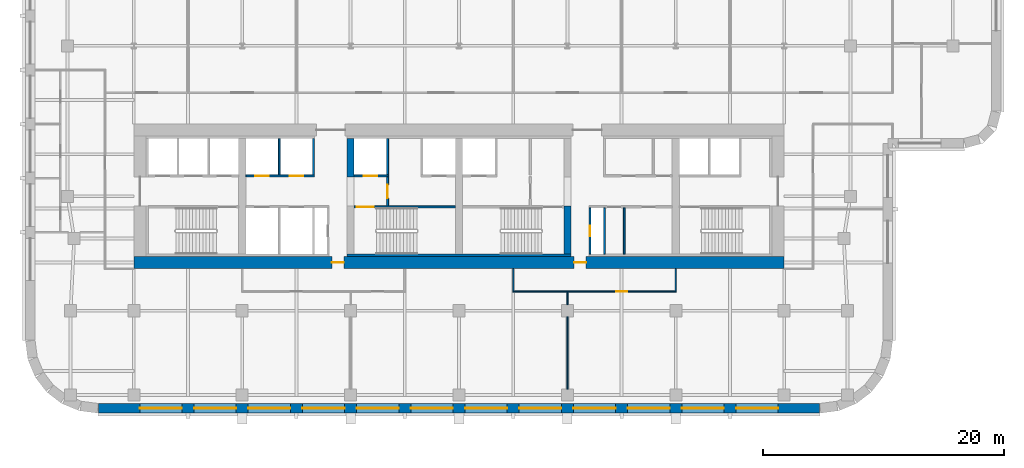
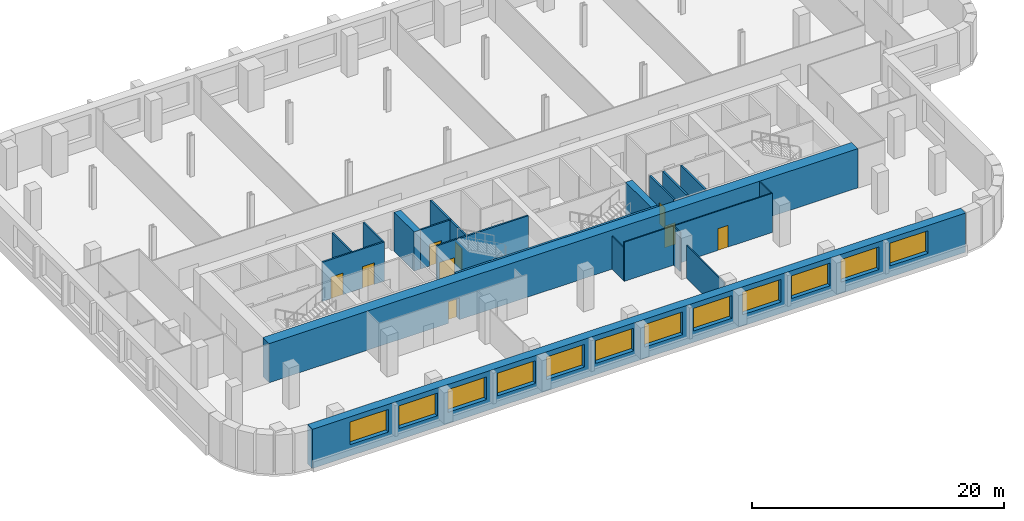
# One storey, part 4 of 9: 20 walls, 12 windows, 9 doors, 21 openings.
"""IFC4 building model written with IfcOpenShell, lengths in metres."""

import ifcopenshell
import ifcopenshell.guid

model = None  # the IFC model being written
_history = None  # IfcOwnerHistory: only IFC2X3 demands one
_inside = {}  # id of a spatial element -> (the spatial element, [elements in it])
_under = {}  # id of a project, library or spatial element -> (it, [spatial elements below it])
_declared = {}  # id of a project -> (the project, [libraries it declares])
_typed = {}  # id of a type object -> (the type object, [elements of that type])
_made_of = {}  # id of a material, layer set ... -> (it, [elements and type objects made of it])


def new_model(schema):
    """Start an empty IFC model of exactly this schema.

    Asked for "IFC4X3", IfcOpenShell would pick the latest addendum, in which some entities
    have other attributes; the version numbers below select the first issue.
    IFC2X3 requires an IfcOwnerHistory on every rooted entity: one is made here for all.
    """
    global model, _history
    if schema == "IFC4X3":
        model = ifcopenshell.file(schema_version=(4, 3, 0, 0))
    else:
        model = ifcopenshell.file(schema=schema)
    _inside.clear()
    _under.clear()
    _declared.clear()
    _typed.clear()
    _made_of.clear()
    _history = None
    if model.schema == "IFC2X3":
        org = make("IfcOrganization", Name="unknown")
        user = make(
            "IfcPersonAndOrganization",
            ThePerson=make("IfcPerson", FamilyName="unknown"),
            TheOrganization=org,
        )
        app = make(
            "IfcApplication",
            ApplicationDeveloper=org,
            Version="unknown",
            ApplicationFullName="unknown",
            ApplicationIdentifier="unknown",
        )
        _history = make(
            "IfcOwnerHistory",
            OwningUser=user,
            OwningApplication=app,
            ChangeAction="ADDED",
            CreationDate=0,
        )
    return model


def make(cls, **values):
    """One entity of the class cls with the attributes given. An attribute that is None is left unset."""
    return model.create_entity(
        cls, **{name: value for name, value in values.items() if value is not None}
    )


def rooted(cls, **values):
    """An entity with a GlobalId (a new one), such as an element, a storey or a relation."""
    return make(cls, GlobalId=ifcopenshell.guid.new(), OwnerHistory=_history, **values)


def si_unit(unit_type, name, prefix=None):
    """IfcSIUnit, for example si_unit("LENGTHUNIT", "METRE", prefix="MILLI")."""
    return make("IfcSIUnit", UnitType=unit_type, Prefix=prefix, Name=name)


def assignment(units):
    """IfcUnitAssignment: the units of a project."""
    return None if units is None else make("IfcUnitAssignment", Units=units)


def point(xyz):
    """IfcCartesianPoint."""
    return None if xyz is None else make("IfcCartesianPoint", Coordinates=xyz)


def direction(xyz):
    """IfcDirection."""
    return None if xyz is None else make("IfcDirection", DirectionRatios=xyz)


def frame(location, z_axis=None, x_axis=None):
    """IfcAxis2Placement3D, a coordinate frame: its origin and axes. An axis left out is left unset."""
    return make(
        "IfcAxis2Placement3D",
        Location=point(location),
        Axis=direction(z_axis),
        RefDirection=direction(x_axis),
    )


def frame_2d(location, x_axis=None):
    """IfcAxis2Placement2D, a coordinate frame in the plane: its origin and x axis."""
    return make(
        "IfcAxis2Placement2D", Location=point(location), RefDirection=direction(x_axis)
    )


def origin():
    """The frame at (0, 0, 0) with its axes left unset."""
    return frame((0.0, 0.0, 0.0))


def place(relative_to, where):
    """IfcLocalPlacement: puts the frame where relative to a parent placement (None: the world)."""
    return make(
        "IfcLocalPlacement", PlacementRelTo=relative_to, RelativePlacement=where
    )


def context(
    kind, dimensions, precision=None, world=None, true_north=None, identifier=None
):
    """IfcGeometricRepresentationContext, for example the 3D "Model" context."""
    return make(
        "IfcGeometricRepresentationContext",
        ContextIdentifier=identifier,
        ContextType=kind,
        CoordinateSpaceDimension=dimensions,
        Precision=precision,
        WorldCoordinateSystem=world,
        TrueNorth=true_north,
    )


def subcontext(parent, identifier, kind, view, scale=None):
    """IfcGeometricRepresentationSubContext, for example "Body" below "Model"."""
    return make(
        "IfcGeometricRepresentationSubContext",
        ContextIdentifier=identifier,
        ContextType=kind,
        ParentContext=parent,
        TargetScale=scale,
        TargetView=view,
    )


def project(units=None, contexts=None):
    """IfcProject with its units and contexts."""
    return rooted(
        "IfcProject",
        Name="project",
        RepresentationContexts=contexts,
        UnitsInContext=assignment(units),
    )


def spatial(cls, under=None, at=None, **own):
    """A site, building, storey or space (cls), placed at a placement, below another one or the project."""
    s = rooted(cls, ObjectPlacement=at, **own)
    if under is not None:
        _under.setdefault(under.id(), (under, []))[1].append(s)
    return s


def profile(cls, at=None, kind="AREA", **sizes):
    """A parametric profile (cls). Its sizes go by their IFC names, for example OverallWidth=200.0."""
    return make(cls, ProfileType=kind, Position=at, **sizes)


def rectangle(**sizes):
    """IfcRectangleProfileDef."""
    return profile("IfcRectangleProfileDef", **sizes)


def extrude(swept, where, along, depth):
    """IfcExtrudedAreaSolid: the profile swept, set in the frame where, extruded along a direction by depth."""
    return make(
        "IfcExtrudedAreaSolid",
        SweptArea=swept,
        Position=where,
        ExtrudedDirection=direction(along),
        Depth=depth,
    )


def shape(context_of_items, identifier, shape_type, items):
    """IfcShapeRepresentation: the items that make up one representation, for example the "Body"."""
    return make(
        "IfcShapeRepresentation",
        ContextOfItems=context_of_items,
        RepresentationIdentifier=identifier,
        RepresentationType=shape_type,
        Items=items,
    )


def material(Name=None, Category=None):
    """IfcMaterial."""
    return make("IfcMaterial", Name=Name, Category=Category)


def layer(
    of_material, thickness, ventilated=None, Name=None, Category=None, Priority=None
):
    """IfcMaterialLayer: one layer of a wall or slab, of a material (None: an air gap)."""
    return make(
        "IfcMaterialLayer",
        Material=of_material,
        LayerThickness=thickness,
        IsVentilated=ventilated,
        Name=Name,
        Category=Category,
        Priority=Priority,
    )


def layer_set(layers, Name=None):
    """IfcMaterialLayerSet."""
    return make("IfcMaterialLayerSet", MaterialLayers=layers, LayerSetName=Name)


def made_of(thing, what):
    """Note that an element or type object is made of a material, layer set ...; save() writes the relation."""
    if what is not None:
        _made_of.setdefault(what.id(), (what, []))[1].append(thing)
    return thing


def type_object(cls, material=None, **own):
    """A type object (cls), such as IfcWallType, which elements share."""
    return made_of(rooted(cls, **own), material)


def element(
    cls,
    number,
    at=None,
    inside=None,
    cuts=None,
    type_object=None,
    material=None,
    context=None,
    identifier="Body",
    shape_type=None,
    held_by="IfcProductDefinitionShape",
    body=None,
    shapes=None,
    **own,
):
    """One element of the class cls, such as IfcWall. Its Tag is "e" and its number.

    at: its placement. inside: the storey or other place that contains it. cuts: it is an
    opening in that element (IfcRelVoidsElement). A single representation is given by context,
    identifier, shape_type and body (its items); several are given by shapes. held_by: the class
    of the entity that holds the representations. save() writes the other relations.
    """
    e = rooted(cls, Tag="e%d" % number, ObjectPlacement=at, **own)
    if body is not None:
        shapes = [shape(context, identifier, shape_type, body)]
    if shapes is not None:
        e.Representation = make(held_by, Representations=shapes)
    if inside is not None:
        _inside.setdefault(inside.id(), (inside, []))[1].append(e)
    if cuts is not None:
        rooted(
            "IfcRelVoidsElement", RelatingBuildingElement=cuts, RelatedOpeningElement=e
        )
    if type_object is not None:
        _typed.setdefault(type_object.id(), (type_object, []))[1].append(e)
    return made_of(e, material)


def fill(opening, filler):
    """IfcRelFillsElement: the door or window that sits in an opening."""
    return rooted(
        "IfcRelFillsElement",
        RelatingOpeningElement=opening,
        RelatedBuildingElement=filler,
    )


def aggregate(whole, parts):
    """IfcRelAggregates: a whole, such as a stair, and the parts it consists of."""
    return rooted("IfcRelAggregates", RelatingObject=whole, RelatedObjects=parts)


def save(model, path):
    """Write the relations noted so far, then the file.

    IfcRelAggregates (storeys below a building ...), IfcRelContainedInSpatialStructure (elements
    in a storey), IfcRelDefinesByType, IfcRelAssociatesMaterial and IfcRelDeclares: one each for
    every whole, place, type object, material and project.
    """
    for whole, parts in _under.values():
        aggregate(whole, parts)
    for where, things in _inside.values():
        rooted(
            "IfcRelContainedInSpatialStructure",
            RelatedElements=things,
            RelatingStructure=where,
        )
    for kind, things in _typed.values():
        rooted("IfcRelDefinesByType", RelatedObjects=things, RelatingType=kind)
    for what, things in _made_of.values():
        rooted("IfcRelAssociatesMaterial", RelatedObjects=things, RelatingMaterial=what)
    for by, libraries in _declared.values():
        rooted("IfcRelDeclares", RelatingContext=by, RelatedDefinitions=libraries)
    model.write(path)


model = new_model("IFC4")

# Units and contexts
model_context = context("Model", 3, precision=1e-05, world=origin(), true_north=direction((0.0, 1.0)))
body_context = subcontext(model_context, "Body", "Model", "MODEL_VIEW")
ifc_project = project(units=[si_unit("LENGTHUNIT", "METRE"), si_unit("AREAUNIT", "SQUARE_METRE"), si_unit("VOLUMEUNIT", "CUBIC_METRE"), si_unit("PLANEANGLEUNIT", "RADIAN"), si_unit("MASSUNIT", "GRAM", prefix="KILO")], contexts=[model_context])

# Site, building, storey
site_placement = place(None, origin())
site = spatial("IfcSite", under=ifc_project, at=site_placement, CompositionType="ELEMENT")
building_placement = place(site_placement, origin())
building = spatial("IfcBuilding", under=site, at=building_placement, Name="Zellij Exchange Tower", CompositionType="ELEMENT")
storey_placement = place(building_placement, frame((0.0, 0.0, 140.5)))
storey = spatial("IfcBuildingStorey", under=building, at=storey_placement, Name="L31", CompositionType="ELEMENT", Elevation=140.5)

# Walls
ifc_material_1 = material(Name="Concrete C70/85", Category="concrete")
ifc_layer_1 = layer(ifc_material_1, 0.60009765625)
ifc_layer_set_1 = layer_set([ifc_layer_1], Name="Concrete C70/85")
wall_type_1 = type_object("IfcWallType", Name="CORE-CW 600 C70/85", PredefinedType="SHEAR", material=ifc_layer_set_1)
wall_1_placement = place(storey_placement, frame((-9.0, -6.375, 0.0), z_axis=(0.0, 0.0, 1.0), x_axis=(0.0, 1.0, 0.0)))
element("IfcWall", 1, at=wall_1_placement, inside=storey, type_object=wall_type_1, Name="Core cross wall pier x -9 b L31", PredefinedType="SHEAR", context=body_context, shape_type="SweptSolid", body=[
    extrude(rectangle(XDim=3.175048828125, YDim=0.60009765625, at=frame_2d((1.58740234375, 0.0))), origin(), (0.0, 0.0, 1.0), 3.800048828125),
])
wall_2_placement = place(storey_placement, frame((9.0, -12.800048828125, 0.0), z_axis=(0.0, 0.0, 1.0), x_axis=(0.0, 1.0, 0.0)))
element("IfcWall", 2, at=wall_2_placement, inside=storey, type_object=wall_type_1, Name="Core cross wall pier x 9 a L31", PredefinedType="SHEAR", context=body_context, shape_type="SweptSolid", body=[
    extrude(rectangle(XDim=4.0, YDim=0.60009765625, at=frame_2d((2.0, 0.0))), origin(), (0.0, 0.0, 1.0), 3.800048828125),
])
ifc_material_2 = material(Name="Concrete C30/37", Category="concrete")
ifc_layer_2 = layer(ifc_material_2, 0.199951171875)
ifc_layer_set_2 = layer_set([ifc_layer_2], Name="Concrete C30/37")
wall_type_2 = type_object("IfcWallType", Name="CORE-LW 200 C30/37", PredefinedType="SHEAR", material=ifc_layer_set_2)
wall_3_placement = place(storey_placement, frame((-9.300048828125, -12.89990234375, 0.0), z_axis=(0.0, 0.0, 1.0), x_axis=(1.0, 0.0, 0.0)))
element("IfcWall", 3, at=wall_3_placement, inside=storey, type_object=wall_type_2, Name="Core wall lining rear.1 L31", PredefinedType="SHEAR", context=body_context, shape_type="SweptSolid", body=[
    extrude(rectangle(XDim=18.60009765625, YDim=0.199951171875, at=frame_2d((9.300048828125, 0.0))), origin(), (0.0, 0.0, 1.0), 3.800048828125),
])

# Wall, opening, door
ifc_material_3 = material(Name="Gypsum shaft wall system")
ifc_layer_3 = layer(ifc_material_3, 0.14990234375)
ifc_layer_set_3 = layer_set([ifc_layer_3], Name="Gypsum shaft wall system")
wall_type_3 = type_object("IfcWallType", Name="CORE-PW 150 Firefighting lobby wall", PredefinedType="PARTITIONING", material=ifc_layer_set_3)
wall_4_placement = place(storey_placement, frame((-5.925048828125, -8.800048828125, 0.0), z_axis=(0.0, 0.0, 1.0), x_axis=(0.0, 1.0, 0.0)))
wall_4 = element("IfcWall", 4, at=wall_4_placement, inside=storey, type_object=wall_type_3, Name="Firefighting lobby wall L31", PredefinedType="PARTITIONING", context=body_context, shape_type="SweptSolid", body=[
    extrude(rectangle(XDim=2.425048828125, YDim=0.14990234375, at=frame_2d((1.21240234375, 0.0))), origin(), (0.0, 0.0, 1.0), 3.800048828125),
])
opening_1_placement = place(wall_4_placement, frame((0.662109375, 0.0, 0.0)))
opening_1 = element("IfcOpeningElement", 5, at=opening_1_placement, cuts=wall_4, Name="Opening CA-16.15", PredefinedType="OPENING", context=body_context, shape_type="SweptSolid", body=[
    extrude(rectangle(XDim=1.10009765625, YDim=2.10009765625, at=frame_2d((0.550048828125, 1.050048828125))), frame((0.0, 0.0869140625, 0.0), z_axis=(0.0, -1.0, 0.0), x_axis=(1.0, 0.0, 0.0)), (0.0, 0.0, 1.0), 0.173828125),
])
ifc_material_4 = material(Name="Hollow metal fire door")
door_type_1 = type_object("IfcDoorType", Name="CORE-D F Firefighting lobby door 1100x2100 1 HR", OperationType="NOTDEFINED", PredefinedType="DOOR", material=ifc_material_4)
door_1_placement = place(opening_1_placement, origin())
door_1 = element("IfcDoor", 6, at=door_1_placement, inside=storey, type_object=door_type_1, Name="Firefighting lobby door CA-16.15", OperationType="SINGLE_SWING_LEFT", OverallHeight=2.10009765625, OverallWidth=1.10009765625, PredefinedType="DOOR", context=body_context, shape_type="SweptSolid", body=[
    extrude(rectangle(XDim=1.10009765625, YDim=2.10009765625, at=frame_2d((0.550048828125, 1.050048828125))), frame((0.0, 0.02490234375, 0.0), z_axis=(0.0, -1.0, 0.0), x_axis=(1.0, 0.0, 0.0)), (0.0, 0.0, 1.0), 0.050048828125),
])
fill(opening_1, door_1)

ifc_material_5 = material(Name="Gypsum board partition")
ifc_layer_4 = layer(ifc_material_5, 0.14990234375)
ifc_layer_set_4 = layer_set([ifc_layer_4], Name="Gypsum board partition")
wall_type_4 = type_object("IfcWallType", Name="CORE-PW 150 Lift lobby wall", PredefinedType="PARTITIONING", material=ifc_layer_set_4)
wall_5_placement = place(storey_placement, frame((10.875, -12.800048828125, 0.0), z_axis=(0.0, 0.0, 1.0), x_axis=(0.0, 1.0, 0.0)))
wall_5 = element("IfcWall", 7, at=wall_5_placement, inside=storey, type_object=wall_type_4, Name="Lift lobby wall L31", PredefinedType="PARTITIONING", context=body_context, shape_type="SweptSolid", body=[
    extrude(rectangle(XDim=3.85009765625, YDim=0.14990234375, at=frame_2d((1.925048828125, 0.0))), origin(), (0.0, 0.0, 1.0), 3.800048828125),
])
opening_2_placement = place(wall_5_placement, frame((1.47509765625, 0.0, 0.0)))
opening_2 = element("IfcOpeningElement", 8, at=opening_2_placement, cuts=wall_5, Name="Opening CA-16.22", PredefinedType="OPENING", context=body_context, shape_type="SweptSolid", body=[
    extrude(rectangle(XDim=0.89990234375, YDim=2.10009765625, at=frame_2d((0.449951171875, 1.050048828125))), frame((0.0, 0.0869140625, 0.0), z_axis=(0.0, -1.0, 0.0), x_axis=(1.0, 0.0, 0.0)), (0.0, 0.0, 1.0), 0.173828125),
])
door_type_2 = type_object("IfcDoorType", Name="CORE-D RD Riser door 900x2100 1.5 HR", OperationType="NOTDEFINED", PredefinedType="DOOR", material=ifc_material_4)
door_2_placement = place(opening_2_placement, origin())
door_2 = element("IfcDoor", 9, at=door_2_placement, inside=storey, type_object=door_type_2, Name="Riser door CA-16.22", OperationType="SINGLE_SWING_LEFT", OverallHeight=2.10009765625, OverallWidth=0.89990234375, PredefinedType="DOOR", context=body_context, shape_type="SweptSolid", body=[
    extrude(rectangle(XDim=0.89990234375, YDim=2.10009765625, at=frame_2d((0.449951171875, 1.050048828125))), frame((0.0, 0.02490234375, 0.0), z_axis=(0.0, -1.0, 0.0), x_axis=(1.0, 0.0, 0.0)), (0.0, 0.0, 1.0), 0.050048828125),
])
fill(opening_2, door_2)

# Walls
for number, where, z_axis, x_axis, name in (
    (10, (12.074951171875, -12.800048828125, 0.0), (0.0, 0.0, 1.0), (0.0, 1.0, 0.0), "Lift lobby wall L31"),
    (11, (13.72509765625, -12.800048828125, 0.0), (0.0, 0.0, 1.0), (0.0, 1.0, 0.0), "Lift lobby wall L31"),
):
    element("IfcWall", number, at=place(storey_placement, frame(where, z_axis=z_axis, x_axis=x_axis)), inside=storey, type_object=wall_type_4, Name=name, PredefinedType="PARTITIONING", context=body_context, shape_type="SweptSolid", body=[
        extrude(rectangle(XDim=3.85009765625, YDim=0.14990234375, at=frame_2d((1.925048828125, 0.0))), origin(), (0.0, 0.0, 1.0), 3.800048828125),
    ])
ifc_layer_5 = layer(ifc_material_3, 0.14990234375)
ifc_layer_set_5 = layer_set([ifc_layer_5], Name="Gypsum shaft wall system")
wall_type_5 = type_object("IfcWallType", Name="CORE-PW 150 Lift shaft wall", PredefinedType="PARTITIONING", material=ifc_layer_set_5)
for number, where, z_axis, x_axis, name in (
    (12, (-12.074951171875, -6.22509765625, 0.0), (0.0, 0.0, 1.0), (0.0, 1.0, 0.0), "Lift shaft wall L31"),
    (13, (-14.925048828125, -6.22509765625, 0.0), (0.0, 0.0, 1.0), (0.0, 1.0, 0.0), "Lift shaft wall L31"),
    (14, (-5.925048828125, -6.22509765625, 0.0), (0.0, 0.0, 1.0), (0.0, 1.0, 0.0), "Lift shaft wall L31"),
):
    element("IfcWall", number, at=place(storey_placement, frame(where, z_axis=z_axis, x_axis=x_axis)), inside=storey, type_object=wall_type_5, Name=name, PredefinedType="PARTITIONING", context=body_context, shape_type="SweptSolid", body=[
        extrude(rectangle(XDim=3.025146484375, YDim=0.14990234375, at=frame_2d((1.5126953125, 0.0))), origin(), (0.0, 0.0, 1.0), 3.800048828125),
    ])

# Wall, openings, doors
wall_6_placement = place(storey_placement, frame((-17.699951171875, -6.300048828125, 0.0), z_axis=(0.0, 0.0, 1.0), x_axis=(1.0, 0.0, 0.0)))
wall_6 = element("IfcWall", 15, at=wall_6_placement, inside=storey, type_object=wall_type_5, Name="Lift shaft wall L31", PredefinedType="PARTITIONING", context=body_context, shape_type="SweptSolid", body=[
    extrude(rectangle(XDim=5.699951171875, YDim=0.14990234375, at=frame_2d((2.85009765625, 0.0))), origin(), (0.0, 0.0, 1.0), 3.800048828125),
])
opening_3_placement = place(wall_6_placement, frame((0.800048828125, 0.0, 0.0)))
opening_3 = element("IfcOpeningElement", 16, at=opening_3_placement, cuts=wall_6, Name="Opening CA-16.07", PredefinedType="OPENING", context=body_context, shape_type="SweptSolid", body=[
    extrude(rectangle(XDim=1.10009765625, YDim=2.10009765625, at=frame_2d((0.550048828125, 1.050048828125))), frame((0.0, 0.0869140625, 0.0), z_axis=(0.0, -1.0, 0.0), x_axis=(1.0, 0.0, 0.0)), (0.0, 0.0, 1.0), 0.173828125),
])
opening_4_placement = place(wall_6_placement, frame((3.64990234375, 0.0, 0.0)))
opening_4 = element("IfcOpeningElement", 17, at=opening_4_placement, cuts=wall_6, Name="Opening CA-16.09", PredefinedType="OPENING", context=body_context, shape_type="SweptSolid", body=[
    extrude(rectangle(XDim=1.10009765625, YDim=2.10009765625, at=frame_2d((0.550048828125, 1.050048828125))), frame((0.0, 0.0869140625, 0.0), z_axis=(0.0, -1.0, 0.0), x_axis=(1.0, 0.0, 0.0)), (0.0, 0.0, 1.0), 0.173828125),
])
door_type_3 = type_object("IfcDoorType", Name="CORE-D LD Lift landing door 1100x2100 1.5 HR", OperationType="NOTDEFINED", PredefinedType="DOOR", material=ifc_material_4)
door_3_placement = place(opening_3_placement, origin())
door_3 = element("IfcDoor", 18, at=door_3_placement, inside=storey, type_object=door_type_3, Name="Lift landing door CA-16.07", OperationType="SLIDING_TO_LEFT", OverallHeight=2.10009765625, OverallWidth=1.10009765625, PredefinedType="DOOR", context=body_context, shape_type="SweptSolid", body=[
    extrude(rectangle(XDim=1.10009765625, YDim=2.10009765625, at=frame_2d((0.550048828125, 1.050048828125))), frame((0.0, 0.02490234375, 0.0), z_axis=(0.0, -1.0, 0.0), x_axis=(1.0, 0.0, 0.0)), (0.0, 0.0, 1.0), 0.050048828125),
])
fill(opening_3, door_3)
door_4_placement = place(opening_4_placement, origin())
door_4 = element("IfcDoor", 19, at=door_4_placement, inside=storey, type_object=door_type_3, Name="Lift landing door CA-16.09", OperationType="SLIDING_TO_LEFT", OverallHeight=2.10009765625, OverallWidth=1.10009765625, PredefinedType="DOOR", context=body_context, shape_type="SweptSolid", body=[
    extrude(rectangle(XDim=1.10009765625, YDim=2.10009765625, at=frame_2d((0.550048828125, 1.050048828125))), frame((0.0, 0.02490234375, 0.0), z_axis=(0.0, -1.0, 0.0), x_axis=(1.0, 0.0, 0.0)), (0.0, 0.0, 1.0), 0.050048828125),
])
fill(opening_4, door_4)

# Wall, opening, door
wall_7_placement = place(storey_placement, frame((-8.699951171875, -6.300048828125, 0.0), z_axis=(0.0, 0.0, 1.0), x_axis=(1.0, 0.0, 0.0)))
wall_7 = element("IfcWall", 20, at=wall_7_placement, inside=storey, type_object=wall_type_5, Name="Lift shaft wall L31", PredefinedType="PARTITIONING", context=body_context, shape_type="SweptSolid", body=[
    extrude(rectangle(XDim=2.849853515625, YDim=0.14990234375, at=frame_2d((1.4248046875, 0.0))), origin(), (0.0, 0.0, 1.0), 3.800048828125),
])
opening_5_placement = place(wall_7_placement, frame((0.800048828125, 0.0, 0.0)))
opening_5 = element("IfcOpeningElement", 21, at=opening_5_placement, cuts=wall_7, Name="Opening CA-16.14", PredefinedType="OPENING", context=body_context, shape_type="SweptSolid", body=[
    extrude(rectangle(XDim=1.10009765625, YDim=2.10009765625, at=frame_2d((0.550048828125, 1.050048828125))), frame((0.0, 0.0869140625, 0.0), z_axis=(0.0, -1.0, 0.0), x_axis=(1.0, 0.0, 0.0)), (0.0, 0.0, 1.0), 0.173828125),
])
door_5_placement = place(opening_5_placement, origin())
door_5 = element("IfcDoor", 22, at=door_5_placement, inside=storey, type_object=door_type_3, Name="Lift landing door CA-16.14", OperationType="SLIDING_TO_RIGHT", OverallHeight=2.10009765625, OverallWidth=1.10009765625, PredefinedType="DOOR", context=body_context, shape_type="SweptSolid", body=[
    extrude(rectangle(XDim=1.10009765625, YDim=2.10009765625, at=frame_2d((0.550048828125, 1.050048828125))), frame((0.0, 0.02490234375, 0.0), z_axis=(0.0, -1.0, 0.0), x_axis=(1.0, 0.0, 0.0)), (0.0, 0.0, 1.0), 0.050048828125),
])
fill(opening_5, door_5)

# Wall, openings, doors
ifc_layer_6 = layer(ifc_material_1, 1.0)
ifc_layer_set_6 = layer_set([ifc_layer_6], Name="Concrete C70/85")
wall_type_6 = type_object("IfcWallType", Name="CORE-SW 1000 C70/85", PredefinedType="SHEAR", material=ifc_layer_set_6)
wall_8_placement = place(storey_placement, frame((-27.0, -13.5, 0.0), z_axis=(0.0, 0.0, 1.0), x_axis=(1.0, 0.0, 0.0)))
wall_8 = element("IfcWall", 23, at=wall_8_placement, inside=storey, type_object=wall_type_6, Name="Core shear wall rear L31", PredefinedType="SHEAR", context=body_context, shape_type="SweptSolid", body=[
    extrude(rectangle(XDim=54.0, YDim=1.0, at=frame_2d((27.0, 0.0))), origin(), (0.0, 0.0, 1.0), 3.800048828125),
])
opening_6_placement = place(wall_8_placement, frame((16.449951171875, 0.0, 0.0)))
opening_6 = element("IfcOpeningElement", 24, at=opening_6_placement, cuts=wall_8, Name="Opening CA-16.12", PredefinedType="OPENING", context=body_context, shape_type="SweptSolid", body=[
    extrude(rectangle(XDim=1.0, YDim=2.10009765625, at=frame_2d((0.5, 1.050048828125))), frame((0.0, 0.511962890625, 0.0), z_axis=(0.0, -1.0, 0.0), x_axis=(1.0, 0.0, 0.0)), (0.0, 0.0, 1.0), 1.02392578125),
])
opening_7_placement = place(wall_8_placement, frame((36.550048828125, 0.0, 0.0)))
opening_7 = element("IfcOpeningElement", 25, at=opening_7_placement, cuts=wall_8, Name="Opening CA-16.20", PredefinedType="OPENING", context=body_context, shape_type="SweptSolid", body=[
    extrude(rectangle(XDim=1.0, YDim=2.10009765625, at=frame_2d((0.5, 1.050048828125))), frame((0.0, 0.511962890625, 0.0), z_axis=(0.0, -1.0, 0.0), x_axis=(1.0, 0.0, 0.0)), (0.0, 0.0, 1.0), 1.02392578125),
])
door_type_4 = type_object("IfcDoorType", Name="CORE-D CR Core rear door 1000x2100 20 MIN", OperationType="NOTDEFINED", PredefinedType="DOOR", material=ifc_material_4)
door_6_placement = place(opening_6_placement, origin())
door_6 = element("IfcDoor", 26, at=door_6_placement, inside=storey, type_object=door_type_4, Name="Core rear door CA-16.12", OperationType="SINGLE_SWING_RIGHT", OverallHeight=2.10009765625, OverallWidth=1.0, PredefinedType="DOOR", context=body_context, shape_type="SweptSolid", body=[
    extrude(rectangle(XDim=1.0, YDim=2.10009765625, at=frame_2d((0.5, 1.050048828125))), frame((0.0, 0.02490234375, 0.0), z_axis=(0.0, -1.0, 0.0), x_axis=(1.0, 0.0, 0.0)), (0.0, 0.0, 1.0), 0.050048828125),
])
fill(opening_6, door_6)
door_7_placement = place(opening_7_placement, origin())
door_7 = element("IfcDoor", 27, at=door_7_placement, inside=storey, type_object=door_type_4, Name="Core rear door CA-16.20", OperationType="SINGLE_SWING_LEFT", OverallHeight=2.10009765625, OverallWidth=1.0, PredefinedType="DOOR", context=body_context, shape_type="SweptSolid", body=[
    extrude(rectangle(XDim=1.0, YDim=2.10009765625, at=frame_2d((0.5, 1.050048828125))), frame((0.0, 0.02490234375, 0.0), z_axis=(0.0, -1.0, 0.0), x_axis=(1.0, 0.0, 0.0)), (0.0, 0.0, 1.0), 0.050048828125),
])
fill(opening_7, door_7)

# Wall, opening, door
ifc_layer_7 = layer(ifc_material_1, 0.14990234375)
ifc_layer_set_7 = layer_set([ifc_layer_7], Name="Concrete C70/85")
wall_type_7 = type_object("IfcWallType", Name="CORE-SWS 150 C70/85", PredefinedType="SHEAR", material=ifc_layer_set_7)
wall_9_placement = place(storey_placement, frame((-8.699951171875, -8.875, 0.0), z_axis=(0.0, 0.0, 1.0), x_axis=(1.0, 0.0, 0.0)))
wall_9 = element("IfcWall", 28, at=wall_9_placement, inside=storey, type_object=wall_type_7, Name="Stair enclosure wall L31", PredefinedType="SHEAR", context=body_context, shape_type="SweptSolid", body=[
    extrude(rectangle(XDim=8.39990234375, YDim=0.14990234375, at=frame_2d((4.199951171875, 0.0))), origin(), (0.0, 0.0, 1.0), 3.800048828125),
])
opening_8_placement = place(wall_9_placement, frame((0.22509765625, 0.0, 0.0)))
opening_8 = element("IfcOpeningElement", 29, at=opening_8_placement, cuts=wall_9, Name="Opening CA-16.13", PredefinedType="OPENING", context=body_context, shape_type="SweptSolid", body=[
    extrude(rectangle(XDim=1.39990234375, YDim=2.10009765625, at=frame_2d((0.699951171875, 1.050048828125))), frame((0.0, 0.0869140625, 0.0), z_axis=(0.0, -1.0, 0.0), x_axis=(1.0, 0.0, 0.0)), (0.0, 0.0, 1.0), 0.173828125),
])
door_type_5 = type_object("IfcDoorType", Name="CORE-D SD Stair door 1400x2100 1.5 HR", OperationType="NOTDEFINED", PredefinedType="DOOR", material=ifc_material_4)
door_8_placement = place(opening_8_placement, origin())
door_8 = element("IfcDoor", 30, at=door_8_placement, inside=storey, type_object=door_type_5, Name="Stair door CA-16.13", OperationType="DOUBLE_DOOR_SINGLE_SWING", OverallHeight=2.10009765625, OverallWidth=1.39990234375, PredefinedType="DOOR", context=body_context, shape_type="SweptSolid", body=[
    extrude(rectangle(XDim=1.39990234375, YDim=2.10009765625, at=frame_2d((0.699951171875, 1.050048828125))), frame((0.0, 0.02490234375, 0.0), z_axis=(0.0, -1.0, 0.0), x_axis=(1.0, 0.0, 0.0)), (0.0, 0.0, 1.0), 0.050048828125),
])
fill(opening_8, door_8)

# Wall, openings, windows
ifc_material_6 = material(Name="Precast concrete C40/50", Category="concrete")
ifc_layer_8 = layer(ifc_material_6, 0.800048828125)
ifc_layer_set_8 = layer_set([ifc_layer_8], Name="Precast concrete C40/50")
wall_type_8 = type_object("IfcWallType", Name="ENV-EW1 Precast stone-piered wall 800", PredefinedType="SOLIDWALL", material=ifc_layer_set_8)
wall_10_placement = place(storey_placement, frame((-29.947509765625, -25.60009765625, 0.0), z_axis=(0.0, 0.0, 1.0), x_axis=(1.0, 0.0, 0.0)))
wall_10 = element("IfcWall", 31, at=wall_10_placement, inside=storey, type_object=wall_type_8, Name="fac.L31.00", PredefinedType="SOLIDWALL", context=body_context, shape_type="SweptSolid", body=[
    extrude(rectangle(XDim=59.89501953125, YDim=0.800048828125, at=frame_2d((29.947509765625, 0.0))), origin(), (0.0, 0.0, 1.0), 3.800048828125),
])
opening_9_placement = place(wall_10_placement, frame((3.447509765625, 0.0, 1.10009765625)))
opening_9 = element("IfcOpeningElement", 32, at=opening_9_placement, cuts=wall_10, Name="Opening FZ2.01", PredefinedType="OPENING", context=body_context, shape_type="SweptSolid", body=[
    extrude(rectangle(XDim=3.5, YDim=2.199951171875, at=frame_2d((1.75, 1.10009765625))), frame((0.0, 0.412109375, 0.0), z_axis=(0.0, -1.0, 0.0), x_axis=(1.0, 0.0, 0.0)), (0.0, 0.0, 1.0), 0.823974609375),
])
opening_10_placement = place(wall_10_placement, frame((7.947509765625, 0.0, 1.10009765625)))
opening_10 = element("IfcOpeningElement", 33, at=opening_10_placement, cuts=wall_10, Name="Opening FZ2.02", PredefinedType="OPENING", context=body_context, shape_type="SweptSolid", body=[
    extrude(rectangle(XDim=3.5, YDim=2.199951171875, at=frame_2d((1.75, 1.10009765625))), frame((0.0, 0.412109375, 0.0), z_axis=(0.0, -1.0, 0.0), x_axis=(1.0, 0.0, 0.0)), (0.0, 0.0, 1.0), 0.823974609375),
])
opening_11_placement = place(wall_10_placement, frame((12.447509765625, 0.0, 1.10009765625)))
opening_11 = element("IfcOpeningElement", 34, at=opening_11_placement, cuts=wall_10, Name="Opening FZ2.03", PredefinedType="OPENING", context=body_context, shape_type="SweptSolid", body=[
    extrude(rectangle(XDim=3.5, YDim=2.199951171875, at=frame_2d((1.75, 1.10009765625))), frame((0.0, 0.412109375, 0.0), z_axis=(0.0, -1.0, 0.0), x_axis=(1.0, 0.0, 0.0)), (0.0, 0.0, 1.0), 0.823974609375),
])
opening_12_placement = place(wall_10_placement, frame((16.947509765625, 0.0, 1.10009765625)))
opening_12 = element("IfcOpeningElement", 35, at=opening_12_placement, cuts=wall_10, Name="Opening FZ2.04", PredefinedType="OPENING", context=body_context, shape_type="SweptSolid", body=[
    extrude(rectangle(XDim=3.5, YDim=2.199951171875, at=frame_2d((1.75, 1.10009765625))), frame((0.0, 0.412109375, 0.0), z_axis=(0.0, -1.0, 0.0), x_axis=(1.0, 0.0, 0.0)), (0.0, 0.0, 1.0), 0.823974609375),
])
opening_13_placement = place(wall_10_placement, frame((21.447509765625, 0.0, 1.10009765625)))
opening_13 = element("IfcOpeningElement", 36, at=opening_13_placement, cuts=wall_10, Name="Opening FZ2.05", PredefinedType="OPENING", context=body_context, shape_type="SweptSolid", body=[
    extrude(rectangle(XDim=3.5, YDim=2.199951171875, at=frame_2d((1.75, 1.10009765625))), frame((0.0, 0.412109375, 0.0), z_axis=(0.0, -1.0, 0.0), x_axis=(1.0, 0.0, 0.0)), (0.0, 0.0, 1.0), 0.823974609375),
])
opening_14_placement = place(wall_10_placement, frame((25.947509765625, 0.0, 1.10009765625)))
opening_14 = element("IfcOpeningElement", 37, at=opening_14_placement, cuts=wall_10, Name="Opening FZ2.06", PredefinedType="OPENING", context=body_context, shape_type="SweptSolid", body=[
    extrude(rectangle(XDim=3.5, YDim=2.199951171875, at=frame_2d((1.75, 1.10009765625))), frame((0.0, 0.412109375, 0.0), z_axis=(0.0, -1.0, 0.0), x_axis=(1.0, 0.0, 0.0)), (0.0, 0.0, 1.0), 0.823974609375),
])
opening_15_placement = place(wall_10_placement, frame((30.447509765625, 0.0, 1.10009765625)))
opening_15 = element("IfcOpeningElement", 38, at=opening_15_placement, cuts=wall_10, Name="Opening FZ2.07", PredefinedType="OPENING", context=body_context, shape_type="SweptSolid", body=[
    extrude(rectangle(XDim=3.5, YDim=2.199951171875, at=frame_2d((1.75, 1.10009765625))), frame((0.0, 0.412109375, 0.0), z_axis=(0.0, -1.0, 0.0), x_axis=(1.0, 0.0, 0.0)), (0.0, 0.0, 1.0), 0.823974609375),
])
opening_16_placement = place(wall_10_placement, frame((34.947509765625, 0.0, 1.10009765625)))
opening_16 = element("IfcOpeningElement", 39, at=opening_16_placement, cuts=wall_10, Name="Opening FZ2.08", PredefinedType="OPENING", context=body_context, shape_type="SweptSolid", body=[
    extrude(rectangle(XDim=3.5, YDim=2.199951171875, at=frame_2d((1.75, 1.10009765625))), frame((0.0, 0.412109375, 0.0), z_axis=(0.0, -1.0, 0.0), x_axis=(1.0, 0.0, 0.0)), (0.0, 0.0, 1.0), 0.823974609375),
])
opening_17_placement = place(wall_10_placement, frame((39.447509765625, 0.0, 1.10009765625)))
opening_17 = element("IfcOpeningElement", 40, at=opening_17_placement, cuts=wall_10, Name="Opening FZ2.09", PredefinedType="OPENING", context=body_context, shape_type="SweptSolid", body=[
    extrude(rectangle(XDim=3.5, YDim=2.199951171875, at=frame_2d((1.75, 1.10009765625))), frame((0.0, 0.412109375, 0.0), z_axis=(0.0, -1.0, 0.0), x_axis=(1.0, 0.0, 0.0)), (0.0, 0.0, 1.0), 0.823974609375),
])
opening_18_placement = place(wall_10_placement, frame((43.947509765625, 0.0, 1.10009765625)))
opening_18 = element("IfcOpeningElement", 41, at=opening_18_placement, cuts=wall_10, Name="Opening FZ2.10", PredefinedType="OPENING", context=body_context, shape_type="SweptSolid", body=[
    extrude(rectangle(XDim=3.5, YDim=2.199951171875, at=frame_2d((1.75, 1.10009765625))), frame((0.0, 0.412109375, 0.0), z_axis=(0.0, -1.0, 0.0), x_axis=(1.0, 0.0, 0.0)), (0.0, 0.0, 1.0), 0.823974609375),
])
opening_19_placement = place(wall_10_placement, frame((48.447509765625, 0.0, 1.10009765625)))
opening_19 = element("IfcOpeningElement", 42, at=opening_19_placement, cuts=wall_10, Name="Opening FZ2.11", PredefinedType="OPENING", context=body_context, shape_type="SweptSolid", body=[
    extrude(rectangle(XDim=3.5, YDim=2.199951171875, at=frame_2d((1.75, 1.10009765625))), frame((0.0, 0.412109375, 0.0), z_axis=(0.0, -1.0, 0.0), x_axis=(1.0, 0.0, 0.0)), (0.0, 0.0, 1.0), 0.823974609375),
])
opening_20_placement = place(wall_10_placement, frame((52.947509765625, 0.0, 1.10009765625)))
opening_20 = element("IfcOpeningElement", 43, at=opening_20_placement, cuts=wall_10, Name="Opening FZ2.12", PredefinedType="OPENING", context=body_context, shape_type="SweptSolid", body=[
    extrude(rectangle(XDim=3.5, YDim=2.199951171875, at=frame_2d((1.75, 1.10009765625))), frame((0.0, 0.412109375, 0.0), z_axis=(0.0, -1.0, 0.0), x_axis=(1.0, 0.0, 0.0)), (0.0, 0.0, 1.0), 0.823974609375),
])
ifc_material_7 = material(Name="Aluminium frame with insulating glass", Category="aluminium")
window_type = type_object("IfcWindowType", Name="ENV-W7 Window 3500x2200", PartitioningType="SINGLE_PANEL", PredefinedType="WINDOW", material=ifc_material_7)
window_1_placement = place(opening_9_placement, origin())
window_1 = element("IfcWindow", 44, at=window_1_placement, inside=storey, type_object=window_type, Name="Window FZ2.01", OverallHeight=2.199951171875, OverallWidth=3.5, PartitioningType="SINGLE_PANEL", PredefinedType="WINDOW", context=body_context, shape_type="SweptSolid", body=[
    extrude(rectangle(XDim=3.5, YDim=2.199951171875, at=frame_2d((1.75, 1.10009765625))), frame((0.0, 0.030029296875, 0.0), z_axis=(0.0, -1.0, 0.0), x_axis=(1.0, 0.0, 0.0)), (0.0, 0.0, 1.0), 0.06005859375),
])
fill(opening_9, window_1)
window_2_placement = place(opening_10_placement, origin())
window_2 = element("IfcWindow", 45, at=window_2_placement, inside=storey, type_object=window_type, Name="Window FZ2.02", OverallHeight=2.199951171875, OverallWidth=3.5, PartitioningType="SINGLE_PANEL", PredefinedType="WINDOW", context=body_context, shape_type="SweptSolid", body=[
    extrude(rectangle(XDim=3.5, YDim=2.199951171875, at=frame_2d((1.75, 1.10009765625))), frame((0.0, 0.030029296875, 0.0), z_axis=(0.0, -1.0, 0.0), x_axis=(1.0, 0.0, 0.0)), (0.0, 0.0, 1.0), 0.06005859375),
])
fill(opening_10, window_2)
window_3_placement = place(opening_11_placement, origin())
window_3 = element("IfcWindow", 46, at=window_3_placement, inside=storey, type_object=window_type, Name="Window FZ2.03", OverallHeight=2.199951171875, OverallWidth=3.5, PartitioningType="SINGLE_PANEL", PredefinedType="WINDOW", context=body_context, shape_type="SweptSolid", body=[
    extrude(rectangle(XDim=3.5, YDim=2.199951171875, at=frame_2d((1.75, 1.10009765625))), frame((0.0, 0.030029296875, 0.0), z_axis=(0.0, -1.0, 0.0), x_axis=(1.0, 0.0, 0.0)), (0.0, 0.0, 1.0), 0.06005859375),
])
fill(opening_11, window_3)
window_4_placement = place(opening_12_placement, origin())
window_4 = element("IfcWindow", 47, at=window_4_placement, inside=storey, type_object=window_type, Name="Window FZ2.04", OverallHeight=2.199951171875, OverallWidth=3.5, PartitioningType="SINGLE_PANEL", PredefinedType="WINDOW", context=body_context, shape_type="SweptSolid", body=[
    extrude(rectangle(XDim=3.5, YDim=2.199951171875, at=frame_2d((1.75, 1.10009765625))), frame((0.0, 0.030029296875, 0.0), z_axis=(0.0, -1.0, 0.0), x_axis=(1.0, 0.0, 0.0)), (0.0, 0.0, 1.0), 0.06005859375),
])
fill(opening_12, window_4)
window_5_placement = place(opening_13_placement, origin())
window_5 = element("IfcWindow", 48, at=window_5_placement, inside=storey, type_object=window_type, Name="Window FZ2.05", OverallHeight=2.199951171875, OverallWidth=3.5, PartitioningType="SINGLE_PANEL", PredefinedType="WINDOW", context=body_context, shape_type="SweptSolid", body=[
    extrude(rectangle(XDim=3.5, YDim=2.199951171875, at=frame_2d((1.75, 1.10009765625))), frame((0.0, 0.030029296875, 0.0), z_axis=(0.0, -1.0, 0.0), x_axis=(1.0, 0.0, 0.0)), (0.0, 0.0, 1.0), 0.06005859375),
])
fill(opening_13, window_5)
window_6_placement = place(opening_14_placement, origin())
window_6 = element("IfcWindow", 49, at=window_6_placement, inside=storey, type_object=window_type, Name="Window FZ2.06", OverallHeight=2.199951171875, OverallWidth=3.5, PartitioningType="SINGLE_PANEL", PredefinedType="WINDOW", context=body_context, shape_type="SweptSolid", body=[
    extrude(rectangle(XDim=3.5, YDim=2.199951171875, at=frame_2d((1.75, 1.10009765625))), frame((0.0, 0.030029296875, 0.0), z_axis=(0.0, -1.0, 0.0), x_axis=(1.0, 0.0, 0.0)), (0.0, 0.0, 1.0), 0.06005859375),
])
fill(opening_14, window_6)
window_7_placement = place(opening_15_placement, origin())
window_7 = element("IfcWindow", 50, at=window_7_placement, inside=storey, type_object=window_type, Name="Window FZ2.07", OverallHeight=2.199951171875, OverallWidth=3.5, PartitioningType="SINGLE_PANEL", PredefinedType="WINDOW", context=body_context, shape_type="SweptSolid", body=[
    extrude(rectangle(XDim=3.5, YDim=2.199951171875, at=frame_2d((1.75, 1.10009765625))), frame((0.0, 0.030029296875, 0.0), z_axis=(0.0, -1.0, 0.0), x_axis=(1.0, 0.0, 0.0)), (0.0, 0.0, 1.0), 0.06005859375),
])
fill(opening_15, window_7)
window_8_placement = place(opening_16_placement, origin())
window_8 = element("IfcWindow", 51, at=window_8_placement, inside=storey, type_object=window_type, Name="Window FZ2.08", OverallHeight=2.199951171875, OverallWidth=3.5, PartitioningType="SINGLE_PANEL", PredefinedType="WINDOW", context=body_context, shape_type="SweptSolid", body=[
    extrude(rectangle(XDim=3.5, YDim=2.199951171875, at=frame_2d((1.75, 1.10009765625))), frame((0.0, 0.030029296875, 0.0), z_axis=(0.0, -1.0, 0.0), x_axis=(1.0, 0.0, 0.0)), (0.0, 0.0, 1.0), 0.06005859375),
])
fill(opening_16, window_8)
window_9_placement = place(opening_17_placement, origin())
window_9 = element("IfcWindow", 52, at=window_9_placement, inside=storey, type_object=window_type, Name="Window FZ2.09", OverallHeight=2.199951171875, OverallWidth=3.5, PartitioningType="SINGLE_PANEL", PredefinedType="WINDOW", context=body_context, shape_type="SweptSolid", body=[
    extrude(rectangle(XDim=3.5, YDim=2.199951171875, at=frame_2d((1.75, 1.10009765625))), frame((0.0, 0.030029296875, 0.0), z_axis=(0.0, -1.0, 0.0), x_axis=(1.0, 0.0, 0.0)), (0.0, 0.0, 1.0), 0.06005859375),
])
fill(opening_17, window_9)
window_10_placement = place(opening_18_placement, origin())
window_10 = element("IfcWindow", 53, at=window_10_placement, inside=storey, type_object=window_type, Name="Window FZ2.10", OverallHeight=2.199951171875, OverallWidth=3.5, PartitioningType="SINGLE_PANEL", PredefinedType="WINDOW", context=body_context, shape_type="SweptSolid", body=[
    extrude(rectangle(XDim=3.5, YDim=2.199951171875, at=frame_2d((1.75, 1.10009765625))), frame((0.0, 0.030029296875, 0.0), z_axis=(0.0, -1.0, 0.0), x_axis=(1.0, 0.0, 0.0)), (0.0, 0.0, 1.0), 0.06005859375),
])
fill(opening_18, window_10)
window_11_placement = place(opening_19_placement, origin())
window_11 = element("IfcWindow", 54, at=window_11_placement, inside=storey, type_object=window_type, Name="Window FZ2.11", OverallHeight=2.199951171875, OverallWidth=3.5, PartitioningType="SINGLE_PANEL", PredefinedType="WINDOW", context=body_context, shape_type="SweptSolid", body=[
    extrude(rectangle(XDim=3.5, YDim=2.199951171875, at=frame_2d((1.75, 1.10009765625))), frame((0.0, 0.030029296875, 0.0), z_axis=(0.0, -1.0, 0.0), x_axis=(1.0, 0.0, 0.0)), (0.0, 0.0, 1.0), 0.06005859375),
])
fill(opening_19, window_11)
window_12_placement = place(opening_20_placement, origin())
window_12 = element("IfcWindow", 55, at=window_12_placement, inside=storey, type_object=window_type, Name="Window FZ2.12", OverallHeight=2.199951171875, OverallWidth=3.5, PartitioningType="SINGLE_PANEL", PredefinedType="WINDOW", context=body_context, shape_type="SweptSolid", body=[
    extrude(rectangle(XDim=3.5, YDim=2.199951171875, at=frame_2d((1.75, 1.10009765625))), frame((0.0, 0.030029296875, 0.0), z_axis=(0.0, -1.0, 0.0), x_axis=(1.0, 0.0, 0.0)), (0.0, 0.0, 1.0), 0.06005859375),
])
fill(opening_20, window_12)

# Walls
ifc_material_8 = material(Name="Gypsum board partition on steel studs", Category="steel")
ifc_layer_9 = layer(ifc_material_8, 0.10009765625)
ifc_layer_set_9 = layer_set([ifc_layer_9], Name="Gypsum board partition on steel studs")
wall_type_9 = type_object("IfcWallType", Name="FIT-PARTITION-100", PredefinedType="PARTITIONING", material=ifc_layer_set_9)
wall_11_placement = place(storey_placement, frame((9.0, -24.0, 0.0), z_axis=(0.0, 0.0, 1.0), x_axis=(0.0, 1.0, 0.0)))
element("IfcWall", 56, at=wall_11_placement, inside=storey, type_object=wall_type_9, Name="FIT-PARTITION-100 003", PredefinedType="PARTITIONING", context=body_context, shape_type="SweptSolid", body=[
    extrude(rectangle(XDim=6.0, YDim=0.10009765625, at=frame_2d((3.0, 0.0))), origin(), (0.0, 0.0, 1.0), 3.18798828125),
])
wall_12_placement = place(storey_placement, frame((9.0, -17.0, 0.0), z_axis=(0.0, 0.0, 1.0), x_axis=(0.0, 1.0, 0.0)))
element("IfcWall", 57, at=wall_12_placement, inside=storey, type_object=wall_type_9, Name="FIT-PARTITION-100 004", PredefinedType="PARTITIONING", context=body_context, shape_type="SweptSolid", body=[
    extrude(rectangle(XDim=1.050048828125, YDim=0.10009765625, at=frame_2d((0.52490234375, 0.0))), origin(), (0.0, 0.0, 1.0), 3.800048828125),
])

# Wall, opening, door
wall_13_placement = place(storey_placement, frame((4.449951171875, -15.89990234375, 0.0), z_axis=(0.0, 0.0, 1.0), x_axis=(1.0, 0.0, 0.0)))
wall_13 = element("IfcWall", 58, at=wall_13_placement, inside=storey, type_object=wall_type_9, Name="FIT-PARTITION-100 008", PredefinedType="PARTITIONING", context=body_context, shape_type="SweptSolid", body=[
    extrude(rectangle(XDim=13.60009765625, YDim=0.10009765625, at=frame_2d((6.800048828125, 0.0))), origin(), (0.0, 0.0, 1.0), 3.800048828125),
])
opening_21_placement = place(wall_13_placement, frame((8.60009765625, 0.0, 0.0)))
opening_21 = element("IfcOpeningElement", 59, at=opening_21_placement, cuts=wall_13, Name="Opening TG.03", PredefinedType="OPENING", context=body_context, shape_type="SweptSolid", body=[
    extrude(rectangle(XDim=0.89990234375, YDim=2.10009765625, at=frame_2d((0.449951171875, 1.050048828125))), frame((0.0, 0.06201171875, 0.0), z_axis=(0.0, -1.0, 0.0), x_axis=(1.0, 0.0, 0.0)), (0.0, 0.0, 1.0), 0.1240234375),
])
ifc_material_9 = material(Name="Timber door set", Category="wood")
door_type_6 = type_object("IfcDoorType", Name="FIT-D1-ROOM-900X2100", OperationType="SINGLE_SWING_LEFT", PredefinedType="DOOR", material=ifc_material_9)
door_9_placement = place(opening_21_placement, origin())
door_9 = element("IfcDoor", 60, at=door_9_placement, inside=storey, type_object=door_type_6, Name="Door TG.03", OperationType="SINGLE_SWING_LEFT", OverallHeight=2.10009765625, OverallWidth=0.89990234375, PredefinedType="DOOR", context=body_context, shape_type="SweptSolid", body=[
    extrude(rectangle(XDim=0.89990234375, YDim=2.10009765625, at=frame_2d((0.449951171875, 1.050048828125))), frame((0.0, 0.02490234375, 0.0), z_axis=(0.0, -1.0, 0.0), x_axis=(1.0, 0.0, 0.0)), (0.0, 0.0, 1.0), 0.050048828125),
])
fill(opening_21, door_9)

# Walls
wall_14_placement = place(storey_placement, frame((4.5, -15.85009765625, 0.0), z_axis=(0.0, 0.0, 1.0), x_axis=(0.0, 1.0, 0.0)))
element("IfcWall", 61, at=wall_14_placement, inside=storey, type_object=wall_type_9, Name="FIT-PARTITION-100 009", PredefinedType="PARTITIONING", context=body_context, shape_type="SweptSolid", body=[
    extrude(rectangle(XDim=1.85009765625, YDim=0.10009765625, at=frame_2d((0.925048828125, 0.0))), origin(), (0.0, 0.0, 1.0), 3.197998046875),
])
wall_15_placement = place(storey_placement, frame((18.0, -15.85009765625, 0.0), z_axis=(0.0, 0.0, 1.0), x_axis=(0.0, 1.0, 0.0)))
element("IfcWall", 62, at=wall_15_placement, inside=storey, type_object=wall_type_9, Name="FIT-PARTITION-100 010", PredefinedType="PARTITIONING", context=body_context, shape_type="SweptSolid", body=[
    extrude(rectangle(XDim=1.85009765625, YDim=0.10009765625, at=frame_2d((0.925048828125, 0.0))), origin(), (0.0, 0.0, 1.0), 3.800048828125),
])

save(model, "model.ifc")
